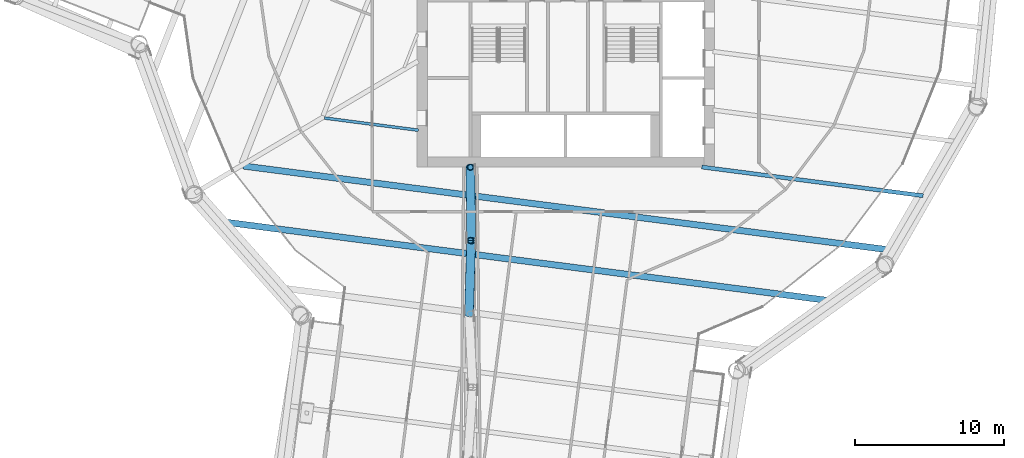
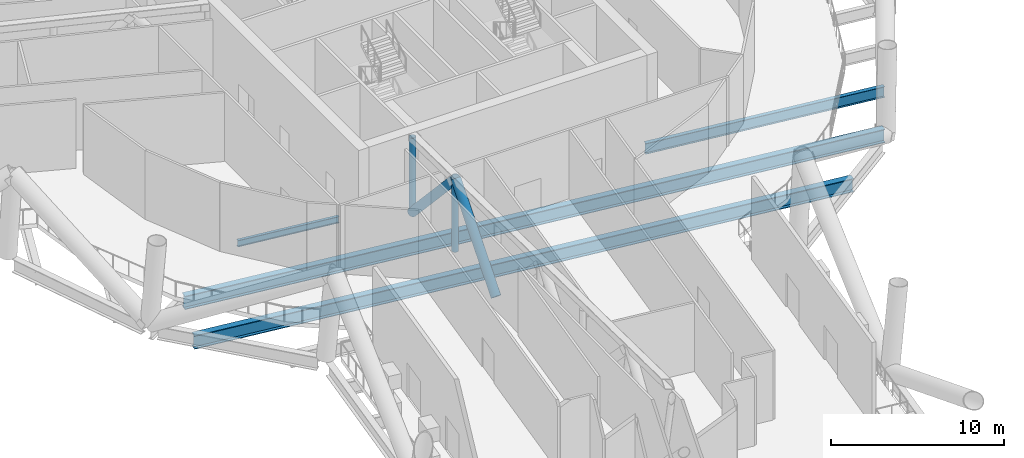
# One storey, part 5 of 36: 4 beams, 4 members.
"""IFC4 building model written with IfcOpenShell, lengths in metres."""

from ifc_helpers import new_model, si_unit, direction, frame, origin, origin_2d, place, context, subcontext, project, spatial, hollow_circle, i_section, extrude, material, material_profile, profile_set, type_object, element, save


model = new_model("IFC4")

# Units and contexts
model_context = context("Model", 3, precision=1e-05, world=origin(), true_north=direction((0.0, 1.0)))
body_context = subcontext(model_context, "Body", "Model", "MODEL_VIEW")
ifc_project = project(units=[si_unit("LENGTHUNIT", "METRE"), si_unit("AREAUNIT", "SQUARE_METRE"), si_unit("VOLUMEUNIT", "CUBIC_METRE"), si_unit("PLANEANGLEUNIT", "RADIAN"), si_unit("MASSUNIT", "GRAM", prefix="KILO")], contexts=[model_context])

# Site, building, storey
site_placement = place(None, origin())
site = spatial("IfcSite", under=ifc_project, at=site_placement, CompositionType="ELEMENT")
building_placement = place(site_placement, origin())
building = spatial("IfcBuilding", under=site, at=building_placement, Name="Tarsis Ring Headquarters", CompositionType="ELEMENT")
storey_placement = place(building_placement, frame((0.0, 0.0, 194.39990234375)))
storey = spatial("IfcBuildingStorey", under=building, at=storey_placement, Name="L45", CompositionType="ELEMENT", Elevation=194.39990234375)

# Beams
ifc_material = material(Name="Structural steel S355", Category="steel")
ifc_material_profile_1 = material_profile(ifc_material, i_section(OverallWidth=0.1904296875, OverallDepth=0.457275390625, WebThickness=0.009033203125, FlangeThickness=0.014404296875, at=origin_2d()), Name="W18x50")
ifc_profile_set_1 = profile_set([ifc_material_profile_1], Name="Structural steel S355")
beam_type_1 = type_object("IfcBeamType", Name="FB Floor beam W18x50", PredefinedType="JOIST", material=ifc_profile_set_1)
beam_1_placement = place(storey_placement, frame((-16.20703125, -9.693359375, -0.528564453125), z_axis=(0.991669844606, -0.128805742495, 0.0), x_axis=(0.128805742495, 0.991669844606, 0.0)))
element("IfcBeam", 1, at=beam_1_placement, inside=storey, type_object=beam_type_1, Name="Floor beam FB2", PredefinedType="JOIST", context=body_context, shape_type="SweptSolid", body=[
    extrude(i_section(OverallWidth=0.1904296875, OverallDepth=0.457275390625, WebThickness=0.009033203125, FlangeThickness=0.014404296875, at=origin_2d()), origin(), (0.0, 0.0, 1.0), 6.359130859375),
])
ifc_material_profile_2 = material_profile(ifc_material, i_section(OverallWidth=0.2666015625, OverallDepth=0.7568359375, WebThickness=0.013916015625, FlangeThickness=0.019287109375, at=origin_2d()), Name="W30x108")
ifc_profile_set_2 = profile_set([ifc_material_profile_2], Name="Structural steel S355")
beam_type_2 = type_object("IfcBeamType", Name="FB Floor beam W30x108", PredefinedType="JOIST", material=ifc_profile_set_2)
beam_2_placement = place(storey_placement, frame((9.153564453125, -12.987060546875, -0.678466796875), z_axis=(0.991670858904, -0.128797933218, 0.0), x_axis=(0.128797933218, 0.991670858904, 0.0)))
element("IfcBeam", 2, at=beam_2_placement, inside=storey, type_object=beam_type_2, Name="Floor beam FB6", PredefinedType="JOIST", context=body_context, shape_type="SweptSolid", body=[
    extrude(i_section(OverallWidth=0.2666015625, OverallDepth=0.7568359375, WebThickness=0.013916015625, FlangeThickness=0.019287109375, at=origin_2d()), origin(), (0.0, 0.0, 1.0), 15.003173828125),
])
ifc_material_profile_3 = material_profile(ifc_material, i_section(OverallWidth=0.42431640625, OverallDepth=0.947509765625, WebThickness=0.02392578125, FlangeThickness=0.042724609375, at=origin_2d()), Name="W36x302")
ifc_profile_set_3 = profile_set([ifc_material_profile_3], Name="Structural steel S355")
beam_type_3 = type_object("IfcBeamType", Name="FB Floor beam W36x302", PredefinedType="JOIST", material=ifc_profile_set_3)
beam_3_placement = place(storey_placement, frame((-21.65966796875, -12.91796875, -0.773681640625), z_axis=(0.991671391301, -0.128793833991, 0.0), x_axis=(0.128793833991, 0.991671391301, 0.0)))
element("IfcBeam", 3, at=beam_3_placement, inside=storey, type_object=beam_type_3, Name="Floor beam FB12", PredefinedType="JOIST", context=body_context, shape_type="SweptSolid", body=[
    extrude(i_section(OverallWidth=0.42431640625, OverallDepth=0.947509765625, WebThickness=0.02392578125, FlangeThickness=0.042724609375, at=origin_2d()), origin(), (0.0, 0.0, 1.0), 43.924560546875),
])
beam_4_placement = place(storey_placement, frame((-23.1689453125, -16.65478515625, -0.773681640625), z_axis=(0.99167173079, -0.128791220008, 0.0), x_axis=(0.128791220008, 0.99167173079, 0.0)))
element("IfcBeam", 4, at=beam_4_placement, inside=storey, type_object=beam_type_3, Name="Floor beam FB12", PredefinedType="JOIST", context=body_context, shape_type="SweptSolid", body=[
    extrude(i_section(OverallWidth=0.42431640625, OverallDepth=0.947509765625, WebThickness=0.02392578125, FlangeThickness=0.042724609375, at=origin_2d()), origin(), (0.0, 0.0, 1.0), 41.353271484375),
])

# Members
ifc_material_profile_4 = material_profile(ifc_material, hollow_circle(Radius=0.3046875, WallThickness=0.02490234375, at=origin_2d()), Name="CHS 610x25")
ifc_profile_set_4 = profile_set([ifc_material_profile_4], Name="Structural steel S355")
member_type_1 = type_object("IfcMemberType", Name="OD Outrigger diagonal CHS 610x25", PredefinedType="BRACE", material=ifc_profile_set_4)
member_1_placement = place(storey_placement, frame((-6.39990234375, -13.0, 0.254150390625), z_axis=(0.007159139412, -0.67904269265, 0.734063872072), x_axis=(0.999944427328, 0.010542402763, 0.0)))
element("IfcMember", 5, at=member_1_placement, inside=storey, type_object=member_type_1, Name="Outrigger diagonal OD1", PredefinedType="BRACE", context=body_context, shape_type="SweptSolid", body=[
    extrude(hollow_circle(Radius=0.3046875, WallThickness=0.02490234375, at=origin_2d()), origin(), (0.0, 0.0, 1.0), 7.263671875),
])
member_2_placement = place(storey_placement, frame((-6.347900390625, -17.932373046875, 5.586181640625), z_axis=(-0.019702227431, -0.677184080248, -0.735549824072), x_axis=(0.999577028046, -0.029082039161, 0.0)))
element("IfcMember", 6, at=member_2_placement, inside=storey, type_object=member_type_1, Name="Outrigger diagonal OD1", PredefinedType="BRACE", context=body_context, shape_type="SweptSolid", body=[
    extrude(hollow_circle(Radius=0.3046875, WallThickness=0.02490234375, at=origin_2d()), origin(), (0.0, 0.0, 1.0), 7.2490234375),
])
ifc_material_profile_5 = material_profile(ifc_material, hollow_circle(Radius=0.203125, WallThickness=0.01611328125, at=origin_2d()), Name="CHS 406x16")
ifc_profile_set_5 = profile_set([ifc_material_profile_5], Name="Structural steel S355")
member_type_2 = type_object("IfcMemberType", Name="OV Outrigger post CHS 406x16", PredefinedType="STRUT", material=ifc_profile_set_5)
member_3_placement = place(storey_placement, frame((-6.39990234375, -13.0, 0.508056640625), z_axis=(0.0, 0.0, 1.0), x_axis=(1.0, 0.0, 0.0)))
element("IfcMember", 7, at=member_3_placement, inside=storey, type_object=member_type_2, Name="Outrigger post OV1", PredefinedType="STRUT", context=body_context, shape_type="SweptSolid", body=[
    extrude(hollow_circle(Radius=0.203125, WallThickness=0.01611328125, at=origin_2d()), origin(), (0.0, 0.0, 1.0), 5.078125),
])
member_4_placement = place(storey_placement, frame((-6.396728515625, -17.926513671875, 0.508056640625), z_axis=(0.0, 0.0, 1.0), x_axis=(1.0, 0.0, 0.0)))
element("IfcMember", 8, at=member_4_placement, inside=storey, type_object=member_type_2, Name="Outrigger post OV1", PredefinedType="STRUT", context=body_context, shape_type="SweptSolid", body=[
    extrude(hollow_circle(Radius=0.203125, WallThickness=0.01611328125, at=origin_2d()), origin(), (0.0, 0.0, 1.0), 4.823974609375),
])

save(model, "model.ifc")
